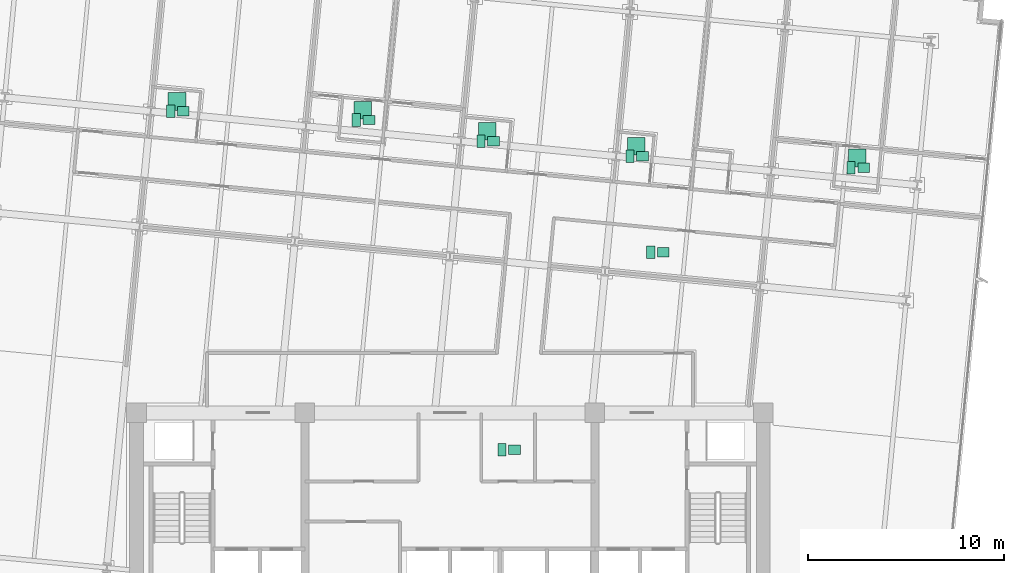
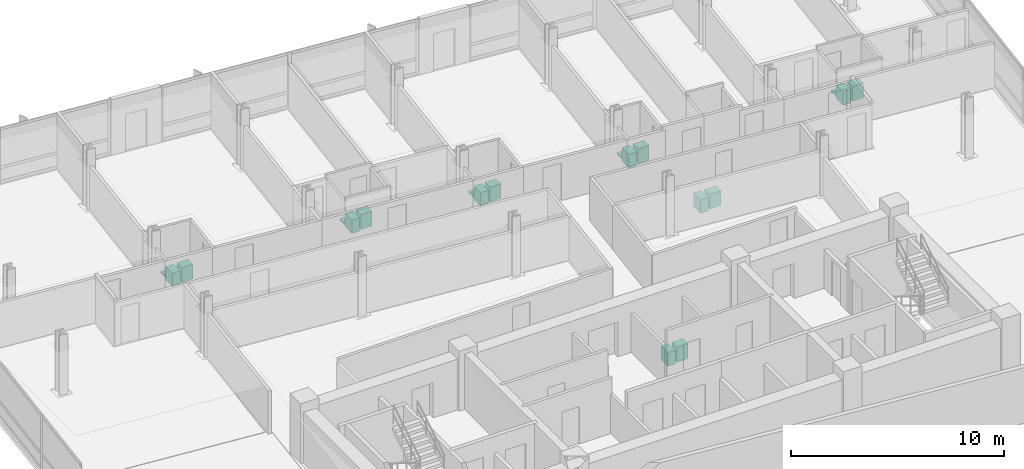
# One storey, part 17 of 17: 19 sanitary terminals.
"""IFC4 building model written with IfcOpenShell, lengths in metres."""

from ifc_helpers import new_model, si_unit, direction, frame, origin, origin_2d, place, context, subcontext, project, spatial, rectangle, extrude, material, type_object, element, save


model = new_model("IFC4")

# Units and contexts
model_context = context("Model", 3, precision=1e-05, world=origin(), true_north=direction((0.0, 1.0)))
body_context = subcontext(model_context, "Body", "Model", "MODEL_VIEW")
ifc_project = project(units=[si_unit("LENGTHUNIT", "METRE"), si_unit("AREAUNIT", "SQUARE_METRE"), si_unit("VOLUMEUNIT", "CUBIC_METRE"), si_unit("PLANEANGLEUNIT", "RADIAN"), si_unit("MASSUNIT", "GRAM", prefix="KILO")], contexts=[model_context])

# Site, building, storey
site_placement = place(None, origin())
site = spatial("IfcSite", under=ifc_project, at=site_placement, CompositionType="ELEMENT")
building_placement = place(site_placement, origin())
building = spatial("IfcBuilding", under=site, at=building_placement, Name="Solmavex Isthmus Hotel", CompositionType="ELEMENT")
storey_placement = place(building_placement, frame((0.0, 0.0, 142.800048828125)))
storey = spatial("IfcBuildingStorey", under=building, at=storey_placement, Name="L38", CompositionType="ELEMENT", Elevation=142.800048828125)

# Sanitary terminals
ifc_material = material(Name="Vitreous china ceramic", Category="ceramic")
sanitary_terminal_type_1 = type_object("IfcSanitaryTerminalType", Name="SAN-BASIN", PredefinedType="WASHHANDBASIN", material=ifc_material)
for number, where, z_axis, x_axis, name in (
    (1, (3.294921875, -4.385009765625, 0.0), (0.0, 0.0, 1.0), (1.0, 0.0, 0.0), "Vanity Washbasin L38-180"),
    (2, (-13.608154296875, 12.896240234375, 0.0), (0.0, 0.0, 1.0), (1.0, 0.0, 0.0), "Vanity Washbasin L38-181"),
    (3, (-4.135009765625, 12.45361328125, 0.0), (0.0, 0.0, 1.0), (1.0, 0.0, 0.0), "Vanity Washbasin L38-182"),
    (4, (2.23046875, 11.37109375, 0.0), (0.0, 0.0, 1.0), (1.0, 0.0, 0.0), "Vanity Washbasin L38-183"),
    (5, (9.83837890625, 10.608642578125, 0.0), (0.0, 0.0, 1.0), (1.0, 0.0, 0.0), "Vanity Washbasin L38-184"),
    (6, (21.121337890625, 10.011474609375, 0.0), (0.0, 0.0, 1.0), (1.0, 0.0, 0.0), "Vanity Washbasin L38-185"),
    (7, (10.895263671875, 5.702880859375, 0.0), (0.0, 0.0, 1.0), (1.0, 0.0, 0.0), "Vanity Washbasin L38-186"),
):
    element("IfcSanitaryTerminal", number, at=place(storey_placement, frame(where, z_axis=z_axis, x_axis=x_axis)), inside=storey, type_object=sanitary_terminal_type_1, Name=name, PredefinedType="WASHHANDBASIN", context=body_context, shape_type="SweptSolid", body=[
        extrude(rectangle(XDim=0.60009765625, YDim=0.47998046875, at=origin_2d()), origin(), (0.0, 0.0, 1.0), 0.85009765625),
    ])
sanitary_terminal_type_2 = type_object("IfcSanitaryTerminalType", Name="SAN-SHOWER", PredefinedType="SHOWER", material=ifc_material)
for number, where, z_axis, x_axis, name in (
    (8, (-13.92822265625, 13.396240234375, 0.0), (0.0, 0.0, 1.0), (1.0, 0.0, 0.0), "Walk-In Shower L38-181"),
    (9, (-4.454833984375, 12.95361328125, 0.0), (0.0, 0.0, 1.0), (1.0, 0.0, 0.0), "Walk-In Shower L38-182"),
    (10, (1.910400390625, 11.87109375, 0.0), (0.0, 0.0, 1.0), (1.0, 0.0, 0.0), "Walk-In Shower L38-183"),
    (11, (9.518310546875, 11.108642578125, 0.0), (0.0, 0.0, 1.0), (1.0, 0.0, 0.0), "Walk-In Shower L38-184"),
    (12, (20.801513671875, 10.511474609375, 0.0), (0.0, 0.0, 1.0), (1.0, 0.0, 0.0), "Walk-In Shower L38-185"),
):
    element("IfcSanitaryTerminal", number, at=place(storey_placement, frame(where, z_axis=z_axis, x_axis=x_axis)), inside=storey, type_object=sanitary_terminal_type_2, Name=name, PredefinedType="SHOWER", context=body_context, shape_type="SweptSolid", body=[
        extrude(rectangle(XDim=0.89990234375, YDim=0.89990234375, at=origin_2d()), origin(), (0.0, 0.0, 1.0), 0.080078125),
    ])
sanitary_terminal_type_3 = type_object("IfcSanitaryTerminalType", Name="SAN-WC-SUITE", PredefinedType="TOILETPAN", material=ifc_material)
for number, where, z_axis, x_axis, name in (
    (13, (2.655029296875, -4.385009765625, 0.0), (0.0, 0.0, 1.0), (1.0, 0.0, 0.0), "Water Closet L38-180"),
    (14, (-14.248291015625, 12.896240234375, 0.0), (0.0, 0.0, 1.0), (1.0, 0.0, 0.0), "Water Closet L38-181"),
    (15, (-4.77490234375, 12.45361328125, 0.0), (0.0, 0.0, 1.0), (1.0, 0.0, 0.0), "Water Closet L38-182"),
    (16, (1.590576171875, 11.37109375, 0.0), (0.0, 0.0, 1.0), (1.0, 0.0, 0.0), "Water Closet L38-183"),
    (17, (9.198486328125, 10.608642578125, 0.0), (0.0, 0.0, 1.0), (1.0, 0.0, 0.0), "Water Closet L38-184"),
    (18, (20.4814453125, 10.011474609375, 0.0), (0.0, 0.0, 1.0), (1.0, 0.0, 0.0), "Water Closet L38-185"),
    (19, (10.25537109375, 5.702880859375, 0.0), (0.0, 0.0, 1.0), (1.0, 0.0, 0.0), "Water Closet L38-186"),
):
    element("IfcSanitaryTerminal", number, at=place(storey_placement, frame(where, z_axis=z_axis, x_axis=x_axis)), inside=storey, type_object=sanitary_terminal_type_3, Name=name, PredefinedType="TOILETPAN", context=body_context, shape_type="SweptSolid", body=[
        extrude(rectangle(XDim=0.419921875, YDim=0.64990234375, at=origin_2d()), origin(), (0.0, 0.0, 1.0), 0.780029296875),
    ])

save(model, "model.ifc")
